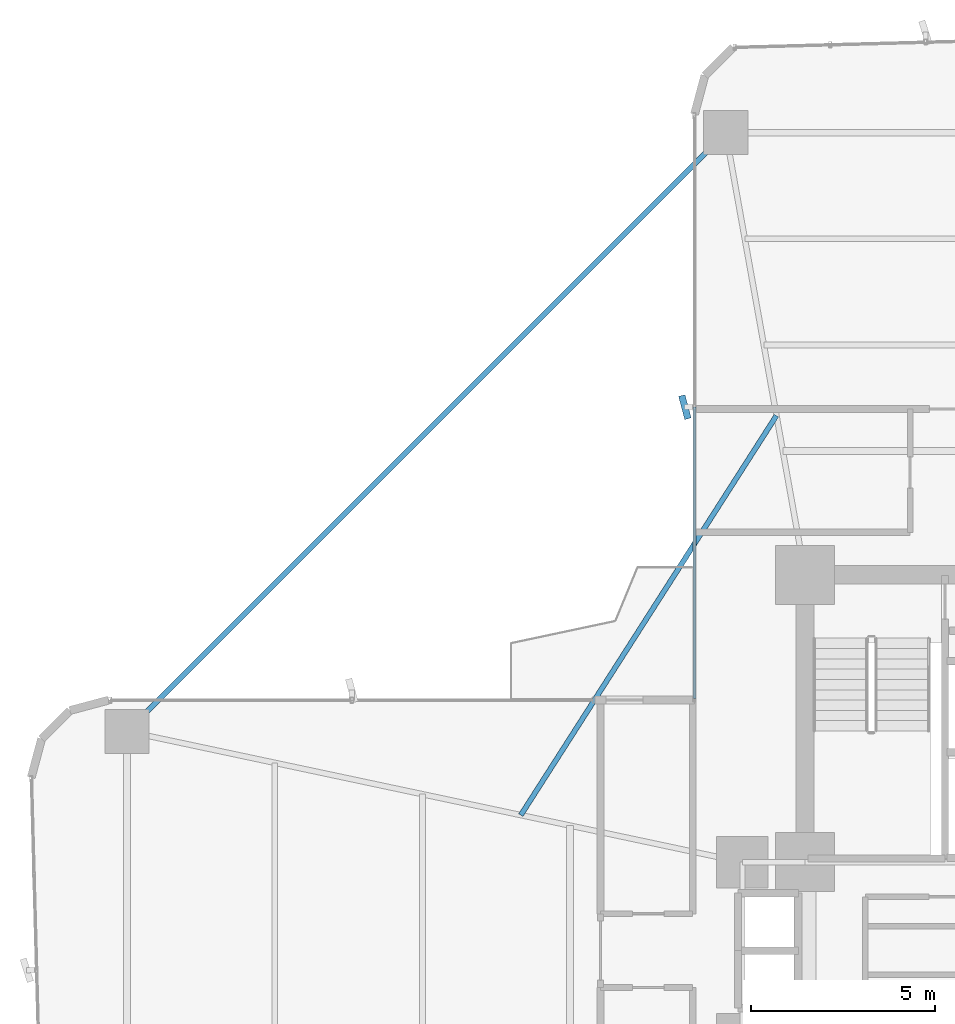
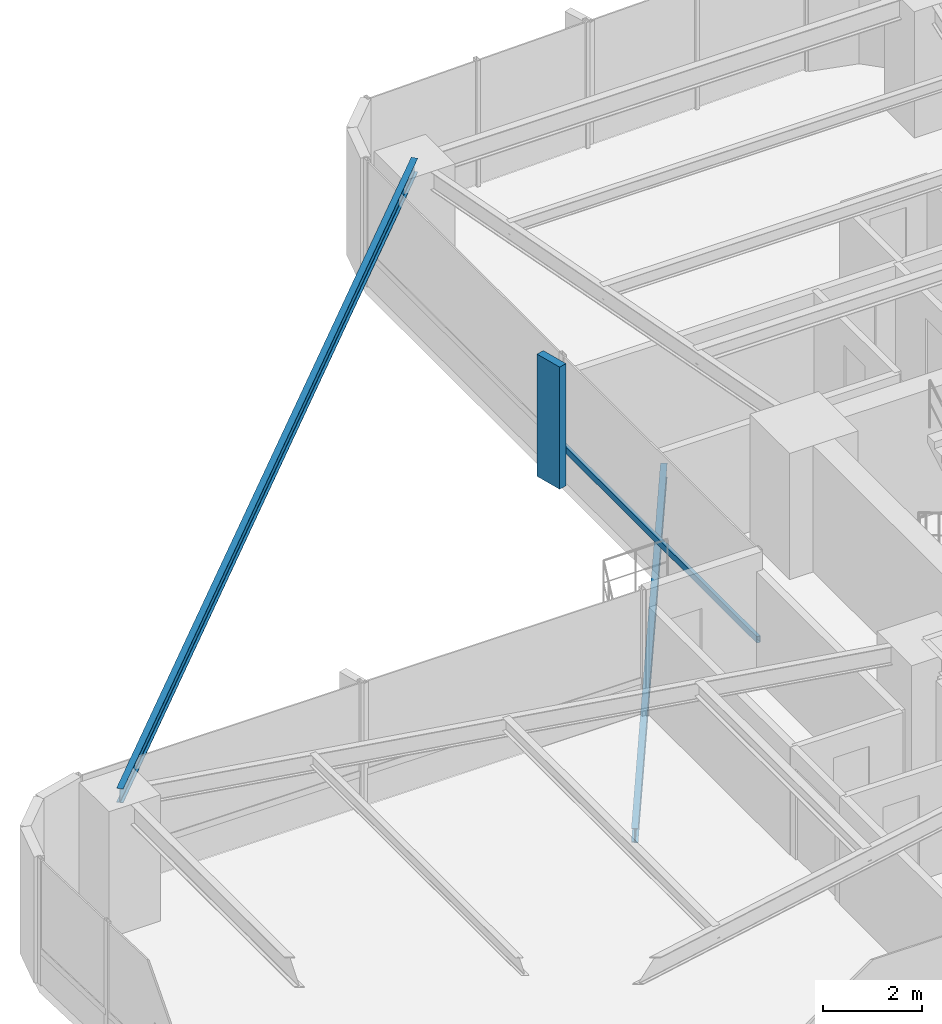
# One storey, part 17 of 25: 2 beams, 2 members, 1 element without a shape of its own.
"""IFC4 building model written with IfcOpenShell, lengths in metres."""

from ifc_helpers import new_model, si_unit, direction, frame, origin, origin_2d, place, context, subcontext, project, spatial, rectangle, hollow_rectangle, i_section, extrude, source, transform, mapped, material, material_profile, profile_set, type_object, element, aggregate, save


model = new_model("IFC4")

# Units and contexts
model_context = context("Model", 3, precision=1e-05, world=origin(), true_north=direction((0.0, 1.0)))
body_context = subcontext(model_context, "Body", "Model", "MODEL_VIEW")
ifc_project = project(units=[si_unit("LENGTHUNIT", "METRE"), si_unit("AREAUNIT", "SQUARE_METRE"), si_unit("VOLUMEUNIT", "CUBIC_METRE"), si_unit("PLANEANGLEUNIT", "RADIAN"), si_unit("MASSUNIT", "GRAM", prefix="KILO")], contexts=[model_context])

# Site, building, storey
site_placement = place(None, origin())
site = spatial("IfcSite", under=ifc_project, at=site_placement, CompositionType="ELEMENT")
building_placement = place(site_placement, origin())
building = spatial("IfcBuilding", under=site, at=building_placement, Name="Sahyath Konkavel Grand Hotel", CompositionType="ELEMENT")
storey_placement = place(building_placement, frame((0.0, 0.0, 64.449951171875)))
storey = spatial("IfcBuildingStorey", under=building, at=storey_placement, Name="L17", CompositionType="ELEMENT", Elevation=64.449951171875)

# Beam
ifc_material_1 = material(Name="Steel E350", Category="steel")
ifc_material_profile_1 = material_profile(ifc_material_1, i_section(OverallWidth=0.139892578125, OverallDepth=0.35009765625, WebThickness=0.008056640625, FlangeThickness=0.01416015625, FilletRadius=0.013916015625, at=origin_2d()), Name="ISMB 350")
ifc_profile_set_1 = profile_set([ifc_material_profile_1], Name="Steel E350")
beam_type_1 = type_object("IfcBeamType", Name="BM-ISMB350", PredefinedType="BEAM", material=ifc_profile_set_1)
shared_shape_1 = source(origin(), body_context, "Body", "SweptSolid", [
    extrude(i_section(OverallWidth=0.139892578125, OverallDepth=0.35009765625, WebThickness=0.008056640625, FlangeThickness=0.01416015625, FilletRadius=0.013916015625, at=origin_2d()), origin(), (0.0, 0.0, 1.0), 22.98095703125),
])
beam_1_placement = place(storey_placement, frame((-5.949951171875, 22.199951171875, 2.93505859375), z_axis=(-0.707106781187, -0.707106781187, 0.0), x_axis=(0.707106781187, -0.707106781187, 0.0)))
element("IfcBeam", 1, at=beam_1_placement, inside=storey, type_object=beam_type_1, Name="L17 Re-Entrant Tie Beam NW", PredefinedType="BEAM", context=body_context, shape_type="MappedRepresentation", body=[
    mapped(shared_shape_1, transform((0.0, 0.0, 0.0), scale=1.0)),
])

# Curtain wall, members
ifc_material_2 = material(Name="Anodised Bronze Aluminium & Low-E Glazing", Category="aluminium")
curtain_wall_type = type_object("IfcCurtainWallType", Name="CW-ZONE1", PredefinedType="NOTDEFINED", material=ifc_material_2)
curtain_wall_placement = place(storey_placement, origin())
curtain_wall = element("IfcCurtainWall", 2, at=curtain_wall_placement, inside=storey, type_object=curtain_wall_type, Name="L17 Unitised Curtain Wall F15", PredefinedType="NOTDEFINED")
ifc_material_3 = material(Name="Warm Buff Sandstone Cladding on Concrete C50/60", Category="masonry")
ifc_material_profile_2 = material_profile(ifc_material_3, rectangle(XDim=0.179931640625, YDim=0.64990234375, at=origin_2d()), Name="FIN 180x650")
ifc_profile_set_2 = profile_set([ifc_material_profile_2], Name="Warm Buff Sandstone Cladding on Concrete C50/60")
member_type_1 = type_object("IfcMemberType", Name="FIN-SANDSTONE-650", PredefinedType="MULLION", material=ifc_profile_set_2)
shared_shape_2 = source(origin(), body_context, "Body", "SweptSolid", [
    extrude(rectangle(XDim=0.179931640625, YDim=0.64990234375, at=origin_2d()), origin(), (0.0, 0.0, 1.0), 3.010009765625),
])
member_1_placement = place(storey_placement, frame((-7.06005859375, 14.75, 0.050048828125), z_axis=(0.0, 0.0, 1.0), x_axis=(0.966420942741, 0.256964124795, 0.0)))
member_1 = element("IfcMember", 3, at=member_1_placement, type_object=member_type_1, Name="L17 Sandstone Vertical Solar Fin FIN F15-1", PredefinedType="MULLION", context=body_context, shape_type="MappedRepresentation", body=[
    mapped(shared_shape_2, transform((0.0, 0.0, 0.0), scale=1.0)),
])
ifc_material_4 = material(Name="Anodised Bronze Aluminium", Category="aluminium")
ifc_material_profile_3 = material_profile(ifc_material_4, hollow_rectangle(XDim=0.080078125, YDim=0.159912109375, WallThickness=0.006103515625, at=origin_2d()), Name="RHS 160x80x6")
ifc_profile_set_3 = profile_set([ifc_material_profile_3], Name="Anodised Bronze Aluminium")
member_type_2 = type_object("IfcMemberType", Name="CW-TRN-160", PredefinedType="USERDEFINED", material=ifc_profile_set_3)
shared_shape_3 = source(origin(), body_context, "Body", "SweptSolid", [
    extrude(hollow_rectangle(XDim=0.080078125, YDim=0.159912109375, WallThickness=0.006103515625, at=origin_2d()), origin(), (0.0, 0.0, 1.0), 7.909912109375),
])
member_2_placement = place(storey_placement, frame((-6.800048828125, 14.75, 0.85009765625), z_axis=(0.0, -1.0, 0.0), x_axis=(1.0, 0.0, 0.0)))
member_2 = element("IfcMember", 4, at=member_2_placement, type_object=member_type_2, Name="L17 Curtain Wall Transom F15-1-spandrel", ObjectType="TRANSOM", PredefinedType="USERDEFINED", context=body_context, shape_type="MappedRepresentation", body=[
    mapped(shared_shape_3, transform((0.0, 0.0, 0.0), scale=1.0)),
])
aggregate(curtain_wall, [member_1, member_2])

# Beam
ifc_material_profile_4 = material_profile(ifc_material_1, i_section(OverallWidth=0.139892578125, OverallDepth=0.35009765625, WebThickness=0.008056640625, FlangeThickness=0.01416015625, FilletRadius=0.013916015625, at=origin_2d()), Name="ISMB 350")
ifc_profile_set_4 = profile_set([ifc_material_profile_4], Name="Steel E350")
beam_type_2 = type_object("IfcBeamType", Name="BM-BALC-CANT", PredefinedType="BEAM", material=ifc_profile_set_4)
shared_shape_4 = source(origin(), body_context, "Body", "SweptSolid", [
    extrude(i_section(OverallWidth=0.139892578125, OverallDepth=0.35009765625, WebThickness=0.008056640625, FlangeThickness=0.01416015625, FilletRadius=0.013916015625, at=origin_2d()), origin(), (0.0, 0.0, 1.0), 12.871826171875),
])
beam_2_placement = place(storey_placement, frame((-4.573974609375, 14.52001953125, -0.4150390625), z_axis=(-0.539003102535, -0.842303778608, 0.0), x_axis=(0.842303778608, -0.539003102535, 0.0)))
element("IfcBeam", 5, at=beam_2_placement, inside=storey, type_object=beam_type_2, Name="L17 Balcony Cantilever Support Beam NW", PredefinedType="BEAM", context=body_context, shape_type="MappedRepresentation", body=[
    mapped(shared_shape_4, transform((0.0, 0.0, 0.0), scale=1.0)),
])

save(model, "model.ifc")
